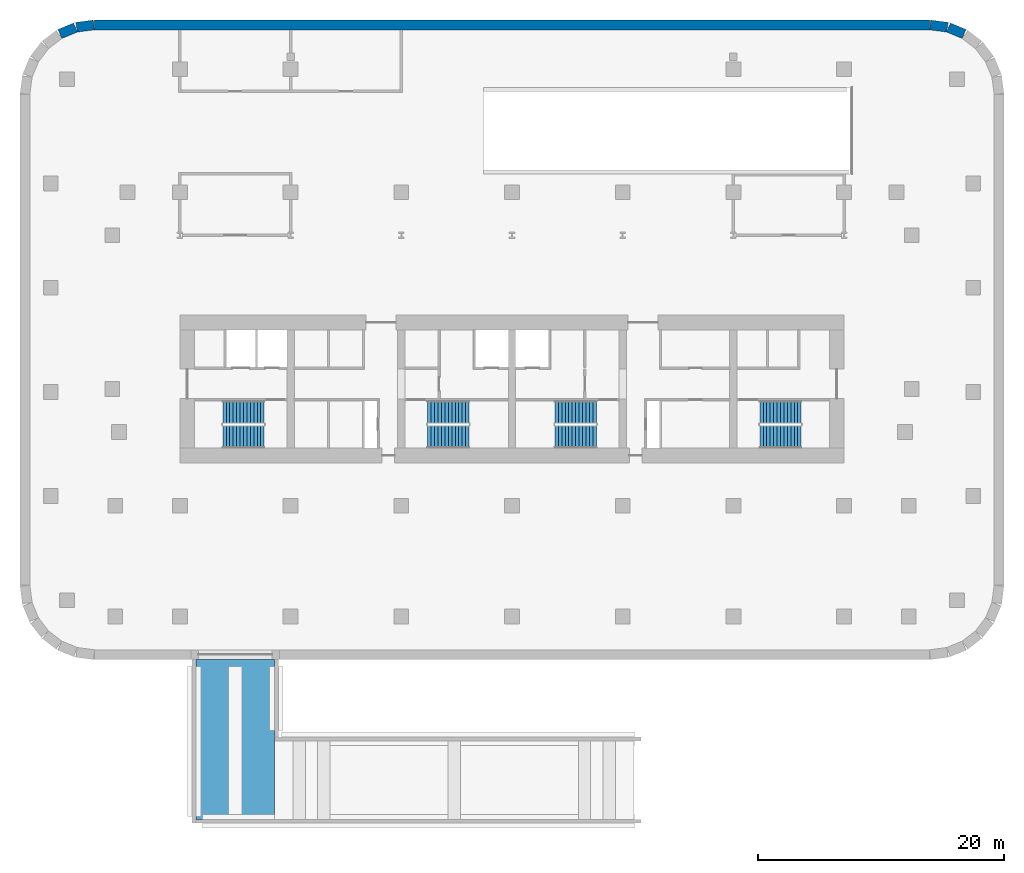
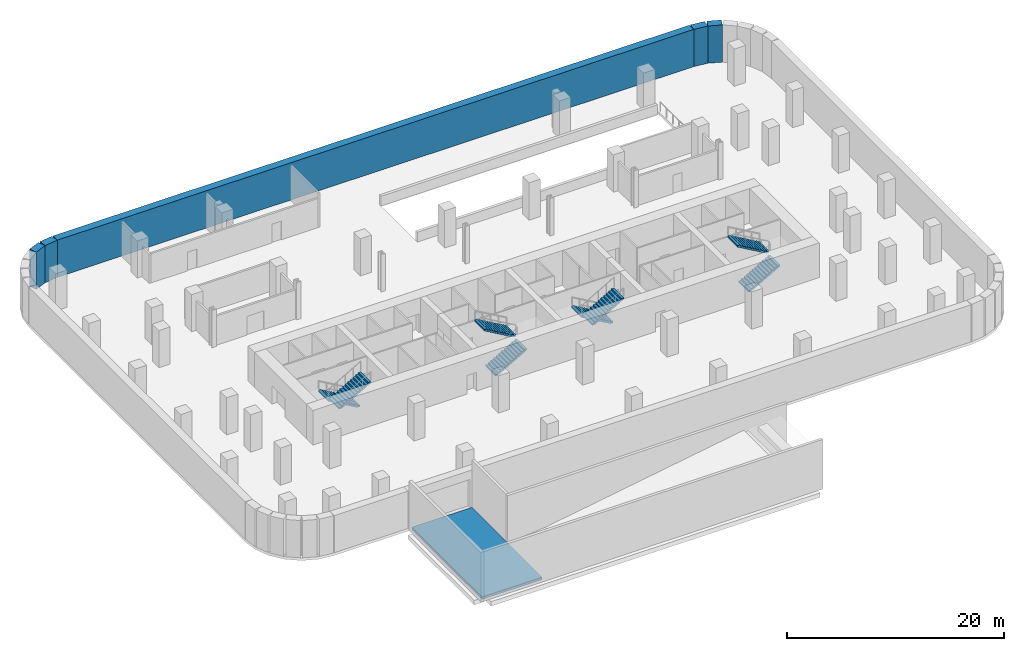
# One storey, part 5 of 6: 8 stair flights, 5 walls, 1 ramp flight, 5 elements without a shape of their own.
"""IFC4 building model written with IfcOpenShell, lengths in metres."""

import ifcopenshell
import ifcopenshell.guid

model = None  # the IFC model being written
_history = None  # IfcOwnerHistory: only IFC2X3 demands one
_inside = {}  # id of a spatial element -> (the spatial element, [elements in it])
_under = {}  # id of a project, library or spatial element -> (it, [spatial elements below it])
_declared = {}  # id of a project -> (the project, [libraries it declares])
_typed = {}  # id of a type object -> (the type object, [elements of that type])
_made_of = {}  # id of a material, layer set ... -> (it, [elements and type objects made of it])


def new_model(schema):
    """Start an empty IFC model of exactly this schema.

    Asked for "IFC4X3", IfcOpenShell would pick the latest addendum, in which some entities
    have other attributes; the version numbers below select the first issue.
    IFC2X3 requires an IfcOwnerHistory on every rooted entity: one is made here for all.
    """
    global model, _history
    if schema == "IFC4X3":
        model = ifcopenshell.file(schema_version=(4, 3, 0, 0))
    else:
        model = ifcopenshell.file(schema=schema)
    _inside.clear()
    _under.clear()
    _declared.clear()
    _typed.clear()
    _made_of.clear()
    _history = None
    if model.schema == "IFC2X3":
        org = make("IfcOrganization", Name="unknown")
        user = make(
            "IfcPersonAndOrganization",
            ThePerson=make("IfcPerson", FamilyName="unknown"),
            TheOrganization=org,
        )
        app = make(
            "IfcApplication",
            ApplicationDeveloper=org,
            Version="unknown",
            ApplicationFullName="unknown",
            ApplicationIdentifier="unknown",
        )
        _history = make(
            "IfcOwnerHistory",
            OwningUser=user,
            OwningApplication=app,
            ChangeAction="ADDED",
            CreationDate=0,
        )
    return model


def make(cls, **values):
    """One entity of the class cls with the attributes given. An attribute that is None is left unset."""
    return model.create_entity(
        cls, **{name: value for name, value in values.items() if value is not None}
    )


def rooted(cls, **values):
    """An entity with a GlobalId (a new one), such as an element, a storey or a relation."""
    return make(cls, GlobalId=ifcopenshell.guid.new(), OwnerHistory=_history, **values)


def si_unit(unit_type, name, prefix=None):
    """IfcSIUnit, for example si_unit("LENGTHUNIT", "METRE", prefix="MILLI")."""
    return make("IfcSIUnit", UnitType=unit_type, Prefix=prefix, Name=name)


def assignment(units):
    """IfcUnitAssignment: the units of a project."""
    return None if units is None else make("IfcUnitAssignment", Units=units)


def point(xyz):
    """IfcCartesianPoint."""
    return None if xyz is None else make("IfcCartesianPoint", Coordinates=xyz)


def direction(xyz):
    """IfcDirection."""
    return None if xyz is None else make("IfcDirection", DirectionRatios=xyz)


def frame(location, z_axis=None, x_axis=None):
    """IfcAxis2Placement3D, a coordinate frame: its origin and axes. An axis left out is left unset."""
    return make(
        "IfcAxis2Placement3D",
        Location=point(location),
        Axis=direction(z_axis),
        RefDirection=direction(x_axis),
    )


def frame_2d(location, x_axis=None):
    """IfcAxis2Placement2D, a coordinate frame in the plane: its origin and x axis."""
    return make(
        "IfcAxis2Placement2D", Location=point(location), RefDirection=direction(x_axis)
    )


def origin():
    """The frame at (0, 0, 0) with its axes left unset."""
    return frame((0.0, 0.0, 0.0))


def place(relative_to, where):
    """IfcLocalPlacement: puts the frame where relative to a parent placement (None: the world)."""
    return make(
        "IfcLocalPlacement", PlacementRelTo=relative_to, RelativePlacement=where
    )


def context(
    kind, dimensions, precision=None, world=None, true_north=None, identifier=None
):
    """IfcGeometricRepresentationContext, for example the 3D "Model" context."""
    return make(
        "IfcGeometricRepresentationContext",
        ContextIdentifier=identifier,
        ContextType=kind,
        CoordinateSpaceDimension=dimensions,
        Precision=precision,
        WorldCoordinateSystem=world,
        TrueNorth=true_north,
    )


def subcontext(parent, identifier, kind, view, scale=None):
    """IfcGeometricRepresentationSubContext, for example "Body" below "Model"."""
    return make(
        "IfcGeometricRepresentationSubContext",
        ContextIdentifier=identifier,
        ContextType=kind,
        ParentContext=parent,
        TargetScale=scale,
        TargetView=view,
    )


def project(units=None, contexts=None):
    """IfcProject with its units and contexts."""
    return rooted(
        "IfcProject",
        Name="project",
        RepresentationContexts=contexts,
        UnitsInContext=assignment(units),
    )


def spatial(cls, under=None, at=None, **own):
    """A site, building, storey or space (cls), placed at a placement, below another one or the project."""
    s = rooted(cls, ObjectPlacement=at, **own)
    if under is not None:
        _under.setdefault(under.id(), (under, []))[1].append(s)
    return s


def polyline(points):
    """IfcPolyline through the points."""
    return make("IfcPolyline", Points=[point(p) for p in points])


def profile(cls, at=None, kind="AREA", **sizes):
    """A parametric profile (cls). Its sizes go by their IFC names, for example OverallWidth=200.0."""
    return make(cls, ProfileType=kind, Position=at, **sizes)


def rectangle(**sizes):
    """IfcRectangleProfileDef."""
    return profile("IfcRectangleProfileDef", **sizes)


def outline(outer, holes=None, kind="AREA"):
    """IfcArbitraryClosedProfileDef: a profile drawn as a closed curve; with holes, ...WithVoids."""
    if holes is None:
        return make("IfcArbitraryClosedProfileDef", ProfileType=kind, OuterCurve=outer)
    return make(
        "IfcArbitraryProfileDefWithVoids",
        ProfileType=kind,
        OuterCurve=outer,
        InnerCurves=holes,
    )


def extrude(swept, where, along, depth):
    """IfcExtrudedAreaSolid: the profile swept, set in the frame where, extruded along a direction by depth."""
    return make(
        "IfcExtrudedAreaSolid",
        SweptArea=swept,
        Position=where,
        ExtrudedDirection=direction(along),
        Depth=depth,
    )


def shape(context_of_items, identifier, shape_type, items):
    """IfcShapeRepresentation: the items that make up one representation, for example the "Body"."""
    return make(
        "IfcShapeRepresentation",
        ContextOfItems=context_of_items,
        RepresentationIdentifier=identifier,
        RepresentationType=shape_type,
        Items=items,
    )


def material(Name=None, Category=None):
    """IfcMaterial."""
    return make("IfcMaterial", Name=Name, Category=Category)


def layer(
    of_material, thickness, ventilated=None, Name=None, Category=None, Priority=None
):
    """IfcMaterialLayer: one layer of a wall or slab, of a material (None: an air gap)."""
    return make(
        "IfcMaterialLayer",
        Material=of_material,
        LayerThickness=thickness,
        IsVentilated=ventilated,
        Name=Name,
        Category=Category,
        Priority=Priority,
    )


def layer_set(layers, Name=None):
    """IfcMaterialLayerSet."""
    return make("IfcMaterialLayerSet", MaterialLayers=layers, LayerSetName=Name)


def made_of(thing, what):
    """Note that an element or type object is made of a material, layer set ...; save() writes the relation."""
    if what is not None:
        _made_of.setdefault(what.id(), (what, []))[1].append(thing)
    return thing


def type_object(cls, material=None, **own):
    """A type object (cls), such as IfcWallType, which elements share."""
    return made_of(rooted(cls, **own), material)


def element(
    cls,
    number,
    at=None,
    inside=None,
    cuts=None,
    type_object=None,
    material=None,
    context=None,
    identifier="Body",
    shape_type=None,
    held_by="IfcProductDefinitionShape",
    body=None,
    shapes=None,
    **own,
):
    """One element of the class cls, such as IfcWall. Its Tag is "e" and its number.

    at: its placement. inside: the storey or other place that contains it. cuts: it is an
    opening in that element (IfcRelVoidsElement). A single representation is given by context,
    identifier, shape_type and body (its items); several are given by shapes. held_by: the class
    of the entity that holds the representations. save() writes the other relations.
    """
    e = rooted(cls, Tag="e%d" % number, ObjectPlacement=at, **own)
    if body is not None:
        shapes = [shape(context, identifier, shape_type, body)]
    if shapes is not None:
        e.Representation = make(held_by, Representations=shapes)
    if inside is not None:
        _inside.setdefault(inside.id(), (inside, []))[1].append(e)
    if cuts is not None:
        rooted(
            "IfcRelVoidsElement", RelatingBuildingElement=cuts, RelatedOpeningElement=e
        )
    if type_object is not None:
        _typed.setdefault(type_object.id(), (type_object, []))[1].append(e)
    return made_of(e, material)


def aggregate(whole, parts):
    """IfcRelAggregates: a whole, such as a stair, and the parts it consists of."""
    return rooted("IfcRelAggregates", RelatingObject=whole, RelatedObjects=parts)


def save(model, path):
    """Write the relations noted so far, then the file.

    IfcRelAggregates (storeys below a building ...), IfcRelContainedInSpatialStructure (elements
    in a storey), IfcRelDefinesByType, IfcRelAssociatesMaterial and IfcRelDeclares: one each for
    every whole, place, type object, material and project.
    """
    for whole, parts in _under.values():
        aggregate(whole, parts)
    for where, things in _inside.values():
        rooted(
            "IfcRelContainedInSpatialStructure",
            RelatedElements=things,
            RelatingStructure=where,
        )
    for kind, things in _typed.values():
        rooted("IfcRelDefinesByType", RelatedObjects=things, RelatingType=kind)
    for what, things in _made_of.values():
        rooted("IfcRelAssociatesMaterial", RelatedObjects=things, RelatingMaterial=what)
    for by, libraries in _declared.values():
        rooted("IfcRelDeclares", RelatingContext=by, RelatedDefinitions=libraries)
    model.write(path)


model = new_model("IFC4")

# Units and contexts
model_context = context("Model", 3, precision=1e-05, world=origin(), true_north=direction((0.0, 1.0)))
body_context = subcontext(model_context, "Body", "Model", "MODEL_VIEW")
ifc_project = project(units=[si_unit("LENGTHUNIT", "METRE"), si_unit("AREAUNIT", "SQUARE_METRE"), si_unit("VOLUMEUNIT", "CUBIC_METRE"), si_unit("PLANEANGLEUNIT", "RADIAN"), si_unit("MASSUNIT", "GRAM", prefix="KILO")], contexts=[model_context])

# Site, building, storey
site_placement = place(None, origin())
site = spatial("IfcSite", under=ifc_project, at=site_placement, CompositionType="ELEMENT")
building_placement = place(site_placement, origin())
building = spatial("IfcBuilding", under=site, at=building_placement, Name="Zellij Exchange Tower", CompositionType="ELEMENT")
storey_placement = place(building_placement, frame((0.0, 0.0, -4.199951171875)))
storey = spatial("IfcBuildingStorey", under=building, at=storey_placement, Name="B1", CompositionType="ELEMENT", Elevation=-4.199951171875)

# Walls
ifc_material = material(Name="Concrete C40/50", Category="concrete")
ifc_layer_1 = layer(ifc_material, 0.800048828125)
ifc_layer_set_1 = layer_set([ifc_layer_1], Name="Concrete C40/50")
wall_type = type_object("IfcWallType", Name="STR-RETAINING WALL 800 C40/50", PredefinedType="SOLIDWALL", material=ifc_layer_set_1)
wall_1_placement = place(storey_placement, frame((-36.74951171875, 20.866943359375, 0.0), z_axis=(0.0, 0.0, 1.0), x_axis=(0.923847774587, 0.38276009378, 0.0)))
element("IfcWall", 1, at=wall_1_placement, inside=storey, type_object=wall_type, Name="Retaining wall B1", PredefinedType="SOLIDWALL", context=body_context, shape_type="SweptSolid", body=[
    extrude(rectangle(XDim=1.35546875, YDim=0.800048828125, at=frame_2d((0.677734375, 0.0))), origin(), (0.0, 0.0, 1.0), 4.199951171875),
])
wall_2_placement = place(storey_placement, frame((-35.396240234375, 21.412841796875, 0.0), z_axis=(0.0, 0.0, 1.0), x_axis=(0.99144603414, 0.130517283865, 0.0)))
element("IfcWall", 2, at=wall_2_placement, inside=storey, type_object=wall_type, Name="Retaining wall B1", PredefinedType="SOLIDWALL", context=body_context, shape_type="SweptSolid", body=[
    extrude(rectangle(XDim=1.408447265625, YDim=0.800048828125, at=frame_2d((0.7041015625, 0.0))), origin(), (0.0, 0.0, 1.0), 4.199951171875),
])
wall_3_placement = place(storey_placement, frame((-33.947509765625, 21.60009765625, 0.0), z_axis=(0.0, 0.0, 1.0), x_axis=(1.0, 0.0, 0.0)))
element("IfcWall", 3, at=wall_3_placement, inside=storey, type_object=wall_type, Name="Retaining wall B1", PredefinedType="SOLIDWALL", context=body_context, shape_type="SweptSolid", body=[
    extrude(rectangle(XDim=67.89501953125, YDim=0.800048828125, at=frame_2d((33.947509765625, 0.0))), origin(), (0.0, 0.0, 1.0), 4.199951171875),
])
wall_4_placement = place(storey_placement, frame((33.999755859375, 21.5966796875, 0.0), z_axis=(0.0, 0.0, 1.0), x_axis=(0.99144603414, -0.130517283865, 0.0)))
element("IfcWall", 4, at=wall_4_placement, inside=storey, type_object=wall_type, Name="Retaining wall B1", PredefinedType="SOLIDWALL", context=body_context, shape_type="SweptSolid", body=[
    extrude(rectangle(XDim=1.408447265625, YDim=0.800048828125, at=frame_2d((0.7041015625, 0.0))), origin(), (0.0, 0.0, 1.0), 4.199951171875),
])
wall_5_placement = place(storey_placement, frame((35.497314453125, 21.3857421875, 0.0), z_axis=(0.0, 0.0, 1.0), x_axis=(0.923847774587, -0.38276009378, 0.0)))
element("IfcWall", 5, at=wall_5_placement, inside=storey, type_object=wall_type, Name="Retaining wall B1", PredefinedType="SOLIDWALL", context=body_context, shape_type="SweptSolid", body=[
    extrude(rectangle(XDim=1.35546875, YDim=0.800048828125, at=frame_2d((0.677734375, 0.0))), origin(), (0.0, 0.0, 1.0), 4.199951171875),
])

# Stair, stair flights
stair_type = type_object("IfcStairType", Name="CORE-ST exit stair 1850 wide", PredefinedType="HALF_TURN_STAIR", material=ifc_material)
stair_1_placement = place(storey_placement, origin())
stair_1 = element("IfcStair", 6, at=stair_1_placement, inside=storey, type_object=stair_type, Name="B1 exit stair ST1", PredefinedType="HALF_TURN_STAIR")
stair_flight_type = type_object("IfcStairFlightType", Name="CORE-SF flight 1850 riser 161.5 going 280", PredefinedType="STRAIGHT", material=ifc_material)
stair_flight_1_placement = place(storey_placement, frame((-20.14990234375, -9.875, 0.0), z_axis=(0.0, 0.0, 1.0), x_axis=(-1.0, 0.0, 0.0)))
stair_flight_1 = element("IfcStairFlight", 7, at=stair_flight_1_placement, type_object=stair_flight_type, Name="ST1 flight 1", NumberOfRisers=13, NumberOfTreads=12, PredefinedType="STRAIGHT", RiserHeight=0.161538462, TreadLength=0.28, context=body_context, shape_type="SweptSolid", body=[
    extrude(outline(polyline([(0.0, 0.0), (0.0, 0.16162109375), (0.280029296875, 0.16162109375), (0.280029296875, 0.322998046875), (0.56005859375, 0.322998046875), (0.56005859375, 0.484619140625), (0.840087890625, 0.484619140625), (0.840087890625, 0.646240234375), (1.1201171875, 0.646240234375), (1.1201171875, 0.8076171875), (1.39990234375, 0.8076171875), (1.39990234375, 0.96923828125), (1.679931640625, 0.96923828125), (1.679931640625, 1.130859375), (1.9599609375, 1.130859375), (1.9599609375, 1.292236328125), (2.239990234375, 1.292236328125), (2.239990234375, 1.453857421875), (2.52001953125, 1.453857421875), (2.52001953125, 1.615478515625), (2.800048828125, 1.615478515625), (2.800048828125, 1.77685546875), (3.080078125, 1.77685546875), (3.080078125, 1.9384765625), (3.360107421875, 1.9384765625), (3.360107421875, 2.10009765625), (3.360107421875, 1.765380859375), (0.300048828125, 0.0), (0.0, 0.0)])), frame((0.0, 0.925048828125, 0.0), z_axis=(0.0, -1.0, 0.0), x_axis=(1.0, 0.0, 0.0)), (0.0, 0.0, 1.0), 1.85009765625),
])
stair_flight_2_placement = place(storey_placement, frame((-23.510009765625, -11.875, 2.099853515625), z_axis=(0.0, 0.0, 1.0), x_axis=(1.0, 0.0, 0.0)))
stair_flight_2 = element("IfcStairFlight", 8, at=stair_flight_2_placement, type_object=stair_flight_type, Name="ST1 flight 2", NumberOfRisers=13, NumberOfTreads=12, PredefinedType="STRAIGHT", RiserHeight=0.161538462, TreadLength=0.28, context=body_context, shape_type="SweptSolid", body=[
    extrude(outline(polyline([(0.0, 0.0), (0.0, 0.16162109375), (0.280029296875, 0.16162109375), (0.280029296875, 0.322998046875), (0.56005859375, 0.322998046875), (0.56005859375, 0.484619140625), (0.840087890625, 0.484619140625), (0.840087890625, 0.646240234375), (1.1201171875, 0.646240234375), (1.1201171875, 0.8076171875), (1.39990234375, 0.8076171875), (1.39990234375, 0.96923828125), (1.679931640625, 0.96923828125), (1.679931640625, 1.130859375), (1.9599609375, 1.130859375), (1.9599609375, 1.292236328125), (2.239990234375, 1.292236328125), (2.239990234375, 1.453857421875), (2.52001953125, 1.453857421875), (2.52001953125, 1.615478515625), (2.800048828125, 1.615478515625), (2.800048828125, 1.77685546875), (3.080078125, 1.77685546875), (3.080078125, 1.9384765625), (3.360107421875, 1.9384765625), (3.360107421875, 2.10009765625), (3.360107421875, 1.765380859375), (0.300048828125, 0.0), (0.0, 0.0)])), frame((0.0, 0.925048828125, 0.0), z_axis=(0.0, -1.0, 0.0), x_axis=(1.0, 0.0, 0.0)), (0.0, 0.0, 1.0), 1.85009765625),
])
aggregate(stair_1, [stair_flight_1, stair_flight_2])

stair_2_placement = place(storey_placement, origin())
stair_2 = element("IfcStair", 9, at=stair_2_placement, inside=storey, type_object=stair_type, Name="B1 exit stair ST2", PredefinedType="HALF_TURN_STAIR")
stair_flight_3_placement = place(storey_placement, frame((-6.85009765625, -11.875, 0.0), z_axis=(0.0, 0.0, 1.0), x_axis=(1.0, 0.0, 0.0)))
stair_flight_3 = element("IfcStairFlight", 10, at=stair_flight_3_placement, type_object=stair_flight_type, Name="ST2 flight 1", NumberOfRisers=13, NumberOfTreads=12, PredefinedType="STRAIGHT", RiserHeight=0.161538462, TreadLength=0.28, context=body_context, shape_type="SweptSolid", body=[
    extrude(outline(polyline([(0.0, 0.0), (0.0, 0.16162109375), (0.280029296875, 0.16162109375), (0.280029296875, 0.322998046875), (0.56005859375, 0.322998046875), (0.56005859375, 0.484619140625), (0.840087890625, 0.484619140625), (0.840087890625, 0.646240234375), (1.1201171875, 0.646240234375), (1.1201171875, 0.8076171875), (1.39990234375, 0.8076171875), (1.39990234375, 0.96923828125), (1.679931640625, 0.96923828125), (1.679931640625, 1.130859375), (1.9599609375, 1.130859375), (1.9599609375, 1.292236328125), (2.239990234375, 1.292236328125), (2.239990234375, 1.453857421875), (2.52001953125, 1.453857421875), (2.52001953125, 1.615478515625), (2.800048828125, 1.615478515625), (2.800048828125, 1.77685546875), (3.080078125, 1.77685546875), (3.080078125, 1.9384765625), (3.360107421875, 1.9384765625), (3.360107421875, 2.10009765625), (3.360107421875, 1.765380859375), (0.300048828125, 0.0), (0.0, 0.0)])), frame((0.0, 0.925048828125, 0.0), z_axis=(0.0, -1.0, 0.0), x_axis=(1.0, 0.0, 0.0)), (0.0, 0.0, 1.0), 1.85009765625),
])
stair_flight_4_placement = place(storey_placement, frame((-3.489990234375, -9.875, 2.099853515625), z_axis=(0.0, 0.0, 1.0), x_axis=(-1.0, 0.0, 0.0)))
stair_flight_4 = element("IfcStairFlight", 11, at=stair_flight_4_placement, type_object=stair_flight_type, Name="ST2 flight 2", NumberOfRisers=13, NumberOfTreads=12, PredefinedType="STRAIGHT", RiserHeight=0.161538462, TreadLength=0.28, context=body_context, shape_type="SweptSolid", body=[
    extrude(outline(polyline([(0.0, 0.0), (0.0, 0.16162109375), (0.280029296875, 0.16162109375), (0.280029296875, 0.322998046875), (0.56005859375, 0.322998046875), (0.56005859375, 0.484619140625), (0.840087890625, 0.484619140625), (0.840087890625, 0.646240234375), (1.1201171875, 0.646240234375), (1.1201171875, 0.8076171875), (1.39990234375, 0.8076171875), (1.39990234375, 0.96923828125), (1.679931640625, 0.96923828125), (1.679931640625, 1.130859375), (1.9599609375, 1.130859375), (1.9599609375, 1.292236328125), (2.239990234375, 1.292236328125), (2.239990234375, 1.453857421875), (2.52001953125, 1.453857421875), (2.52001953125, 1.615478515625), (2.800048828125, 1.615478515625), (2.800048828125, 1.77685546875), (3.080078125, 1.77685546875), (3.080078125, 1.9384765625), (3.360107421875, 1.9384765625), (3.360107421875, 2.10009765625), (3.360107421875, 1.765380859375), (0.300048828125, 0.0), (0.0, 0.0)])), frame((0.0, 0.925048828125, 0.0), z_axis=(0.0, -1.0, 0.0), x_axis=(1.0, 0.0, 0.0)), (0.0, 0.0, 1.0), 1.85009765625),
])
aggregate(stair_2, [stair_flight_3, stair_flight_4])

stair_3_placement = place(storey_placement, origin())
stair_3 = element("IfcStair", 12, at=stair_3_placement, inside=storey, type_object=stair_type, Name="B1 exit stair ST3", PredefinedType="HALF_TURN_STAIR")
stair_flight_5_placement = place(storey_placement, frame((6.85009765625, -9.875, 0.0), z_axis=(0.0, 0.0, 1.0), x_axis=(-1.0, 0.0, 0.0)))
stair_flight_5 = element("IfcStairFlight", 13, at=stair_flight_5_placement, type_object=stair_flight_type, Name="ST3 flight 1", NumberOfRisers=13, NumberOfTreads=12, PredefinedType="STRAIGHT", RiserHeight=0.161538462, TreadLength=0.28, context=body_context, shape_type="SweptSolid", body=[
    extrude(outline(polyline([(0.0, 0.0), (0.0, 0.16162109375), (0.280029296875, 0.16162109375), (0.280029296875, 0.322998046875), (0.56005859375, 0.322998046875), (0.56005859375, 0.484619140625), (0.840087890625, 0.484619140625), (0.840087890625, 0.646240234375), (1.1201171875, 0.646240234375), (1.1201171875, 0.8076171875), (1.39990234375, 0.8076171875), (1.39990234375, 0.96923828125), (1.679931640625, 0.96923828125), (1.679931640625, 1.130859375), (1.9599609375, 1.130859375), (1.9599609375, 1.292236328125), (2.239990234375, 1.292236328125), (2.239990234375, 1.453857421875), (2.52001953125, 1.453857421875), (2.52001953125, 1.615478515625), (2.800048828125, 1.615478515625), (2.800048828125, 1.77685546875), (3.080078125, 1.77685546875), (3.080078125, 1.9384765625), (3.360107421875, 1.9384765625), (3.360107421875, 2.10009765625), (3.360107421875, 1.765380859375), (0.300048828125, 0.0), (0.0, 0.0)])), frame((0.0, 0.925048828125, 0.0), z_axis=(0.0, -1.0, 0.0), x_axis=(1.0, 0.0, 0.0)), (0.0, 0.0, 1.0), 1.85009765625),
])
stair_flight_6_placement = place(storey_placement, frame((3.489990234375, -11.875, 2.099853515625), z_axis=(0.0, 0.0, 1.0), x_axis=(1.0, 0.0, 0.0)))
stair_flight_6 = element("IfcStairFlight", 14, at=stair_flight_6_placement, type_object=stair_flight_type, Name="ST3 flight 2", NumberOfRisers=13, NumberOfTreads=12, PredefinedType="STRAIGHT", RiserHeight=0.161538462, TreadLength=0.28, context=body_context, shape_type="SweptSolid", body=[
    extrude(outline(polyline([(0.0, 0.0), (0.0, 0.16162109375), (0.280029296875, 0.16162109375), (0.280029296875, 0.322998046875), (0.56005859375, 0.322998046875), (0.56005859375, 0.484619140625), (0.840087890625, 0.484619140625), (0.840087890625, 0.646240234375), (1.1201171875, 0.646240234375), (1.1201171875, 0.8076171875), (1.39990234375, 0.8076171875), (1.39990234375, 0.96923828125), (1.679931640625, 0.96923828125), (1.679931640625, 1.130859375), (1.9599609375, 1.130859375), (1.9599609375, 1.292236328125), (2.239990234375, 1.292236328125), (2.239990234375, 1.453857421875), (2.52001953125, 1.453857421875), (2.52001953125, 1.615478515625), (2.800048828125, 1.615478515625), (2.800048828125, 1.77685546875), (3.080078125, 1.77685546875), (3.080078125, 1.9384765625), (3.360107421875, 1.9384765625), (3.360107421875, 2.10009765625), (3.360107421875, 1.765380859375), (0.300048828125, 0.0), (0.0, 0.0)])), frame((0.0, 0.925048828125, 0.0), z_axis=(0.0, -1.0, 0.0), x_axis=(1.0, 0.0, 0.0)), (0.0, 0.0, 1.0), 1.85009765625),
])
aggregate(stair_3, [stair_flight_5, stair_flight_6])

stair_4_placement = place(storey_placement, origin())
stair_4 = element("IfcStair", 15, at=stair_4_placement, inside=storey, type_object=stair_type, Name="B1 exit stair ST4", PredefinedType="HALF_TURN_STAIR")
stair_flight_7_placement = place(storey_placement, frame((20.14990234375, -11.875, 0.0), z_axis=(0.0, 0.0, 1.0), x_axis=(1.0, 0.0, 0.0)))
stair_flight_7 = element("IfcStairFlight", 16, at=stair_flight_7_placement, type_object=stair_flight_type, Name="ST4 flight 1", NumberOfRisers=13, NumberOfTreads=12, PredefinedType="STRAIGHT", RiserHeight=0.161538462, TreadLength=0.28, context=body_context, shape_type="SweptSolid", body=[
    extrude(outline(polyline([(0.0, 0.0), (0.0, 0.16162109375), (0.280029296875, 0.16162109375), (0.280029296875, 0.322998046875), (0.56005859375, 0.322998046875), (0.56005859375, 0.484619140625), (0.840087890625, 0.484619140625), (0.840087890625, 0.646240234375), (1.1201171875, 0.646240234375), (1.1201171875, 0.8076171875), (1.39990234375, 0.8076171875), (1.39990234375, 0.96923828125), (1.679931640625, 0.96923828125), (1.679931640625, 1.130859375), (1.9599609375, 1.130859375), (1.9599609375, 1.292236328125), (2.239990234375, 1.292236328125), (2.239990234375, 1.453857421875), (2.52001953125, 1.453857421875), (2.52001953125, 1.615478515625), (2.800048828125, 1.615478515625), (2.800048828125, 1.77685546875), (3.080078125, 1.77685546875), (3.080078125, 1.9384765625), (3.360107421875, 1.9384765625), (3.360107421875, 2.10009765625), (3.360107421875, 1.765380859375), (0.300048828125, 0.0), (0.0, 0.0)])), frame((0.0, 0.925048828125, 0.0), z_axis=(0.0, -1.0, 0.0), x_axis=(1.0, 0.0, 0.0)), (0.0, 0.0, 1.0), 1.85009765625),
])
stair_flight_8_placement = place(storey_placement, frame((23.510009765625, -9.875, 2.099853515625), z_axis=(0.0, 0.0, 1.0), x_axis=(-1.0, 0.0, 0.0)))
stair_flight_8 = element("IfcStairFlight", 17, at=stair_flight_8_placement, type_object=stair_flight_type, Name="ST4 flight 2", NumberOfRisers=13, NumberOfTreads=12, PredefinedType="STRAIGHT", RiserHeight=0.161538462, TreadLength=0.28, context=body_context, shape_type="SweptSolid", body=[
    extrude(outline(polyline([(0.0, 0.0), (0.0, 0.16162109375), (0.280029296875, 0.16162109375), (0.280029296875, 0.322998046875), (0.56005859375, 0.322998046875), (0.56005859375, 0.484619140625), (0.840087890625, 0.484619140625), (0.840087890625, 0.646240234375), (1.1201171875, 0.646240234375), (1.1201171875, 0.8076171875), (1.39990234375, 0.8076171875), (1.39990234375, 0.96923828125), (1.679931640625, 0.96923828125), (1.679931640625, 1.130859375), (1.9599609375, 1.130859375), (1.9599609375, 1.292236328125), (2.239990234375, 1.292236328125), (2.239990234375, 1.453857421875), (2.52001953125, 1.453857421875), (2.52001953125, 1.615478515625), (2.800048828125, 1.615478515625), (2.800048828125, 1.77685546875), (3.080078125, 1.77685546875), (3.080078125, 1.9384765625), (3.360107421875, 1.9384765625), (3.360107421875, 2.10009765625), (3.360107421875, 1.765380859375), (0.300048828125, 0.0), (0.0, 0.0)])), frame((0.0, 0.925048828125, 0.0), z_axis=(0.0, -1.0, 0.0), x_axis=(1.0, 0.0, 0.0)), (0.0, 0.0, 1.0), 1.85009765625),
])
aggregate(stair_4, [stair_flight_7, stair_flight_8])

# Ramp, ramp flight
ramp_type = type_object("IfcRampType", Name="BSM-Car ramp 6400", PredefinedType="STRAIGHT_RUN_RAMP", material=ifc_material)
ramp_placement = place(storey_placement, origin())
ramp = element("IfcRamp", 18, at=ramp_placement, inside=storey, type_object=ramp_type, Name="Car park entry ramp R1", PredefinedType="STRAIGHT_RUN_RAMP")
ifc_layer_2 = layer(ifc_material, 0.280029296875)
ifc_layer_set_2 = layer_set([ifc_layer_2], Name="Concrete C40/50")
ramp_flight_type = type_object("IfcRampFlightType", Name="BSM-Ramp landing flight 280 C40/50", PredefinedType="STRAIGHT", material=ifc_layer_set_2)
ramp_flight_placement = place(storey_placement, frame((0.0, 0.0, -0.280029296875)))
ramp_flight = element("IfcRampFlight", 19, at=ramp_flight_placement, type_object=ramp_flight_type, Name="Car park entry ramp R1 landing", PredefinedType="STRAIGHT", context=body_context, shape_type="SweptSolid", body=[
    extrude(outline(polyline([(-19.300048828125, -43.0), (-19.300048828125, -30.0), (-25.699951171875, -30.0), (-25.699951171875, -43.0), (-19.300048828125, -43.0)])), origin(), (0.0, 0.0, 1.0), 0.280029296875),
])
aggregate(ramp, [ramp_flight])

save(model, "model.ifc")
